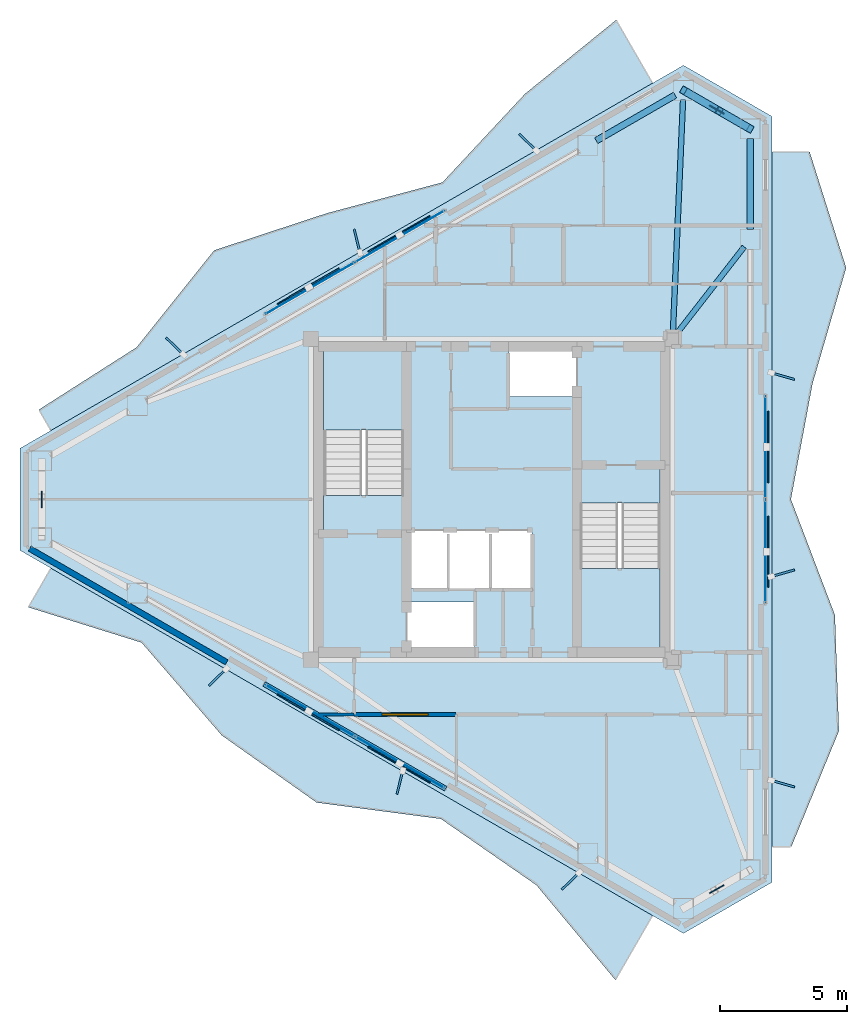
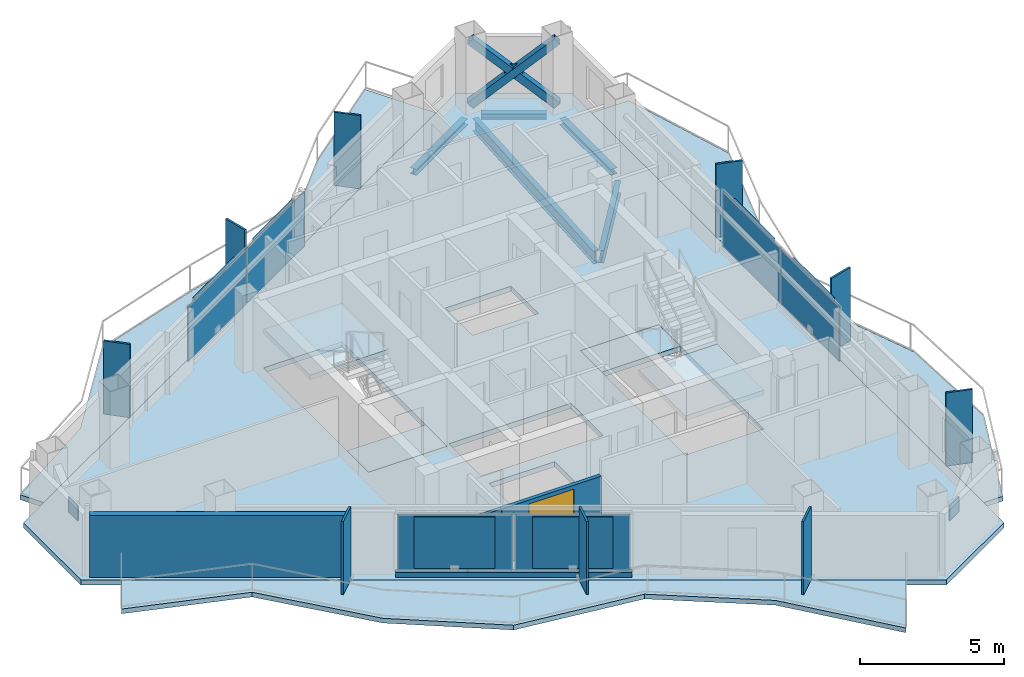
# One storey, part 13 of 18: 24 plates, 8 slabs, 5 beams, 4 walls, 3 members, 1 door, 1 opening, 5 elements without a shape of their own.
"""IFC4 building model written with IfcOpenShell, lengths in metres."""

from ifc_helpers import new_model, si_unit, direction, frame, frame_2d, origin, origin_2d, place, context, subcontext, project, spatial, polyline, rectangle, hollow_rectangle, i_section, outline, extrude, material, layer, layer_set, material_profile, profile_set, type_object, element, fill, aggregate, save


model = new_model("IFC4")

# Units and contexts
model_context = context("Model", 3, precision=1e-05, world=origin(), true_north=direction((0.0, 1.0)))
body_context = subcontext(model_context, "Body", "Model", "MODEL_VIEW")
ifc_project = project(units=[si_unit("LENGTHUNIT", "METRE"), si_unit("AREAUNIT", "SQUARE_METRE"), si_unit("VOLUMEUNIT", "CUBIC_METRE"), si_unit("PLANEANGLEUNIT", "RADIAN"), si_unit("MASSUNIT", "GRAM", prefix="KILO")], contexts=[model_context])

# Site, building, storey
site_placement = place(None, origin())
site = spatial("IfcSite", under=ifc_project, at=site_placement, CompositionType="ELEMENT")
building_placement = place(site_placement, origin())
building = spatial("IfcBuilding", under=site, at=building_placement, Name="Mersakhor Tower and Convention Hall", CompositionType="ELEMENT")
storey_placement = place(building_placement, frame((0.0, 0.0, 246.300048828125)))
storey = spatial("IfcBuildingStorey", under=building, at=storey_placement, Name="L69", CompositionType="ELEMENT", Elevation=246.300048828125)

# Beams
ifc_material_1 = material(Name="Steel S355", Category="steel")
ifc_material_profile_1 = material_profile(ifc_material_1, i_section(OverallWidth=0.2099609375, OverallDepth=0.53662109375, WebThickness=0.0107421875, FlangeThickness=0.017333984375, at=origin_2d()), Name="UB 533x210x101")
ifc_profile_set_1 = profile_set([ifc_material_profile_1], Name="Steel S355")
beam_type_1 = type_object("IfcBeamType", Name="BM-FB-533", PredefinedType="BEAM", material=ifc_profile_set_1)
beam_1_placement = place(storey_placement, frame((36.1123046875, 33.32958984375, -0.48828125), z_axis=(0.043540774519, 0.999051650794, 0.0), x_axis=(-0.999051650794, 0.043540774519, 0.0)))
element("IfcBeam", 1, at=beam_1_placement, inside=storey, type_object=beam_type_1, Name="L69 Primary Floor Girder FG-2", PredefinedType="BEAM", context=body_context, shape_type="SweptSolid", body=[
    extrude(i_section(OverallWidth=0.2099609375, OverallDepth=0.53662109375, WebThickness=0.0107421875, FlangeThickness=0.017333984375, at=origin_2d()), origin(), (0.0, 0.0, 1.0), 9.10595703125),
])
beam_2_placement = place(storey_placement, frame((36.27197265625, 33.27099609375, -0.48828125), z_axis=(0.614066533088, 0.789254263809, 0.0), x_axis=(-0.789254263809, 0.614066533088, 0.0)))
element("IfcBeam", 2, at=beam_2_placement, inside=storey, type_object=beam_type_1, Name="L69 Primary Floor Girder FG-3", PredefinedType="BEAM", context=body_context, shape_type="SweptSolid", body=[
    extrude(i_section(OverallWidth=0.2099609375, OverallDepth=0.53662109375, WebThickness=0.0107421875, FlangeThickness=0.017333984375, at=origin_2d()), origin(), (0.0, 0.0, 1.0), 4.295166015625),
])
ifc_material_2 = material(Name="Steel S355", Category="steel")
ifc_material_profile_2 = material_profile(ifc_material_2, i_section(OverallWidth=0.25634765625, OverallDepth=0.26025390625, WebThickness=0.01025390625, FlangeThickness=0.017333984375, at=origin_2d()), Name="UC 254x254x89")
ifc_profile_set_2 = profile_set([ifc_material_profile_2], Name="Steel S355")
beam_type_2 = type_object("IfcBeamType", Name="BM-SPD-UC254", PredefinedType="SPANDREL", material=ifc_profile_set_2)
beam_3_placement = place(storey_placement, frame((33.1005859375, 40.829345703125, -0.35009765625), z_axis=(0.866002454009, 0.500039748071, 0.0), x_axis=(-0.500039748071, 0.866002454009, 0.0)))
element("IfcBeam", 3, at=beam_3_placement, inside=storey, type_object=beam_type_2, Name="L69 Perimeter Spandrel Beam SPB-03", PredefinedType="SPANDREL", context=body_context, shape_type="SweptSolid", body=[
    extrude(i_section(OverallWidth=0.25634765625, OverallDepth=0.26025390625, WebThickness=0.01025390625, FlangeThickness=0.017333984375, at=origin_2d()), origin(), (0.0, 0.0, 1.0), 3.574462890625),
])
beam_4_placement = place(storey_placement, frame((36.854248046875, 42.61669921875, -0.35009765625), z_axis=(0.866016678684, -0.500015112013, 0.0), x_axis=(0.500015112013, 0.866016678684, 0.0)))
element("IfcBeam", 4, at=beam_4_placement, inside=storey, type_object=beam_type_2, Name="L69 Perimeter Spandrel Beam SPB-04", PredefinedType="SPANDREL", context=body_context, shape_type="SweptSolid", body=[
    extrude(i_section(OverallWidth=0.25634765625, OverallDepth=0.26025390625, WebThickness=0.01025390625, FlangeThickness=0.017333984375, at=origin_2d()), origin(), (0.0, 0.0, 1.0), 2.2626953125),
])
beam_5_placement = place(storey_placement, frame((39.142822265625, 40.915283203125, -0.35009765625), z_axis=(0.0, -1.0, 0.0), x_axis=(1.0, 0.0, 0.0)))
element("IfcBeam", 5, at=beam_5_placement, inside=storey, type_object=beam_type_2, Name="L69 Perimeter Spandrel Beam SPB-05", PredefinedType="SPANDREL", context=body_context, shape_type="SweptSolid", body=[
    extrude(i_section(OverallWidth=0.25634765625, OverallDepth=0.26025390625, WebThickness=0.01025390625, FlangeThickness=0.017333984375, at=origin_2d()), origin(), (0.0, 0.0, 1.0), 3.574462890625),
])

# Members
ifc_material_3 = material(Name="Steel S355", Category="steel")
ifc_material_profile_3 = material_profile(ifc_material_3, hollow_rectangle(XDim=0.300048828125, YDim=0.300048828125, WallThickness=0.01611328125, at=origin_2d()), Name="SHS 300x300x16")
ifc_profile_set_3 = profile_set([ifc_material_profile_3], Name="Steel S355")
member_type = type_object("IfcMemberType", Name="MB-BRC-SHS300", PredefinedType="BRACE", material=ifc_profile_set_3)
member_placement = place(storey_placement, frame((36.525146484375, 42.806640625, 0.14990234375), z_axis=(0.643758757166, -0.371653302263, 0.668915903151), x_axis=(0.499978822259, 0.866037630414, 0.0)))
element("IfcMember", 6, at=member_placement, inside=storey, type_object=member_type, Name="L69 Chamfer Braced Frame Diagonal CB-1A", PredefinedType="BRACE", context=body_context, shape_type="SweptSolid", body=[
    extrude(hollow_rectangle(XDim=0.300048828125, YDim=0.300048828125, WallThickness=0.01611328125, at=origin_2d()), origin(), (0.0, 0.0, 1.0), 4.066162109375),
])
for number, where, z_axis, x_axis, name in (
    (7, (39.142822265625, 41.29541015625, 0.14990234375), (-0.643712975298, 0.371613338431, 0.668982161297), (-0.499965166279, -0.866045514109, 0.0), "L69 Chamfer Braced Frame Diagonal CB-1B Lower Half"),
    (8, (37.731689453125, 42.110107421875, 1.6162109375), (-0.643769068574, 0.371645720891, 0.668910191648), (-0.499965166279, -0.866045514109, 0.0), "L69 Chamfer Braced Frame Diagonal CB-1B Upper Half"),
):
    element("IfcMember", number, at=place(storey_placement, frame(where, z_axis=z_axis, x_axis=x_axis)), inside=storey, type_object=member_type, Name=name, PredefinedType="BRACE", context=body_context, shape_type="SweptSolid", body=[
        extrude(hollow_rectangle(XDim=0.300048828125, YDim=0.300048828125, WallThickness=0.01611328125, at=origin_2d()), origin(), (0.0, 0.0, 1.0), 1.874267578125),
    ])

# Curtain wall, plates
ifc_material_4 = material(Name="Dark solar low-E aluminium curtain wall", Category="aluminium")
ifc_layer_1 = layer(ifc_material_4, 0.179931640625)
ifc_layer_set_1 = layer_set([ifc_layer_1], Name="Dark solar low-E aluminium curtain wall")
curtain_wall_type = type_object("IfcCurtainWallType", Name="CW-SYS-03", PredefinedType="USERDEFINED", material=ifc_layer_set_1)
curtain_wall_1_placement = place(storey_placement, origin())
curtain_wall_1 = element("IfcCurtainWall", 9, at=curtain_wall_1_placement, inside=storey, type_object=curtain_wall_type, Name="L69 Dark-Glass Curtain Wall F1-B2", ObjectType="CURTAIN WALL", PredefinedType="USERDEFINED")
ifc_material_5 = material(Name="Dark solar double glazing", Category="glass")
ifc_layer_2 = layer(ifc_material_5, 0.031982421875)
ifc_layer_set_2 = layer_set([ifc_layer_2], Name="Dark solar double glazing")
plate_type_1 = type_object("IfcPlateType", Name="CWP-GLZ-32", PredefinedType="CURTAIN_PANEL", material=ifc_layer_set_2)
plate_1_placement = place(storey_placement, frame((21.863525390625, 35.034423828125, 0.259765625), z_axis=(0.0, 0.0, 1.0), x_axis=(0.86602285698, 0.500004411169, 0.0)))
plate_1 = element("IfcPlate", 10, at=plate_1_placement, type_object=plate_type_1, Name="CW-03 panel 1.1", PredefinedType="CURTAIN_PANEL", context=body_context, shape_type="SweptSolid", body=[
    extrude(rectangle(XDim=4.00146484375, YDim=0.031982421875, at=origin_2d()), origin(), (0.0, 0.0, 1.0), 2.320068359375),
])
plate_2_placement = place(storey_placement, frame((25.393798828125, 37.07275390625, 0.259765625), z_axis=(0.0, 0.0, 1.0), x_axis=(0.86602285698, 0.500004411169, 0.0)))
plate_2 = element("IfcPlate", 11, at=plate_2_placement, type_object=plate_type_1, Name="CW-03 panel 2.1", PredefinedType="CURTAIN_PANEL", context=body_context, shape_type="SweptSolid", body=[
    extrude(rectangle(XDim=4.00146484375, YDim=0.031982421875, at=origin_2d()), origin(), (0.0, 0.0, 1.0), 2.320068359375),
])
aggregate(curtain_wall_1, [plate_1, plate_2])

curtain_wall_2_placement = place(storey_placement, origin())
curtain_wall_2 = element("IfcCurtainWall", 12, at=curtain_wall_2_placement, inside=storey, type_object=curtain_wall_type, Name="L69 Dark-Glass Curtain Wall F2-B2", ObjectType="CURTAIN WALL", PredefinedType="USERDEFINED")
plate_3_placement = place(storey_placement, frame((39.742919921875, 28.7880859375, 0.259765625), z_axis=(0.0, 0.0, 1.0), x_axis=(0.0, -1.0, 0.0)))
plate_3 = element("IfcPlate", 13, at=plate_3_placement, type_object=plate_type_1, Name="CW-03 panel 1.1", PredefinedType="CURTAIN_PANEL", context=body_context, shape_type="SweptSolid", body=[
    extrude(rectangle(XDim=4.00146484375, YDim=0.031982421875, at=origin_2d()), origin(), (0.0, 0.0, 1.0), 2.320068359375),
])
plate_4_placement = place(storey_placement, frame((39.742919921875, 24.7119140625, 0.259765625), z_axis=(0.0, 0.0, 1.0), x_axis=(0.0, -1.0, 0.0)))
plate_4 = element("IfcPlate", 14, at=plate_4_placement, type_object=plate_type_1, Name="CW-03 panel 2.1", PredefinedType="CURTAIN_PANEL", context=body_context, shape_type="SweptSolid", body=[
    extrude(rectangle(XDim=4.00146484375, YDim=0.031982421875, at=origin_2d()), origin(), (0.0, 0.0, 1.0), 2.320068359375),
])
aggregate(curtain_wall_2, [plate_3, plate_4])

curtain_wall_3_placement = place(storey_placement, origin())
curtain_wall_3 = element("IfcCurtainWall", 15, at=curtain_wall_3_placement, inside=storey, type_object=curtain_wall_type, Name="L69 Dark-Glass Curtain Wall F3-B2", ObjectType="CURTAIN WALL", PredefinedType="USERDEFINED")
plate_5_placement = place(storey_placement, frame((25.393798828125, 16.42724609375, 0.259765625), z_axis=(0.0, 0.0, 1.0), x_axis=(-0.86602285698, 0.500004411169, 0.0)))
plate_5 = element("IfcPlate", 16, at=plate_5_placement, type_object=plate_type_1, Name="CW-03 panel 1.1", PredefinedType="CURTAIN_PANEL", context=body_context, shape_type="SweptSolid", body=[
    extrude(rectangle(XDim=4.00146484375, YDim=0.031982421875, at=origin_2d()), origin(), (0.0, 0.0, 1.0), 2.320068359375),
])
plate_6_placement = place(storey_placement, frame((21.863525390625, 18.465576171875, 0.259765625), z_axis=(0.0, 0.0, 1.0), x_axis=(-0.86602285698, 0.500004411169, 0.0)))
plate_6 = element("IfcPlate", 17, at=plate_6_placement, type_object=plate_type_1, Name="CW-03 panel 2.1", PredefinedType="CURTAIN_PANEL", context=body_context, shape_type="SweptSolid", body=[
    extrude(rectangle(XDim=4.00146484375, YDim=0.031982421875, at=origin_2d()), origin(), (0.0, 0.0, 1.0), 2.320068359375),
])
aggregate(curtain_wall_3, [plate_5, plate_6])

# Plates
ifc_material_6 = material(Name="Ceramic-clad aluminium Zone 5 ultramarine", Category="aluminium")
ifc_material_7 = material(Name="Ceramic-clad aluminium Zone 1 cobalt-slate", Category="masonry")
ifc_layer_3 = layer(ifc_material_7, 0.080078125)
ifc_layer_set_3 = layer_set([ifc_layer_3], Name="Ceramic-clad aluminium Zone 1 cobalt-slate")
plate_type_2 = type_object("IfcPlateType", Name="PL-FIN-80", PredefinedType="USERDEFINED", material=ifc_layer_set_3)
for number, where, z_axis, x_axis, name in (
    (18, (16.558837890625, 32.7646484375, 0.0), (0.0, 0.0, 1.0), (-0.719339800339, 0.694658370459, 0.0), "L69 Zone 5 Coloured Brise-Soleil Fin F1-1"),
    (19, (23.7138671875, 36.8955078125, 0.0), (0.0, 0.0, 1.0), (-0.2419218956, 0.970295726276, 0.0), "L69 Zone 5 Coloured Brise-Soleil Fin F1-2"),
    (20, (30.415283203125, 40.7646484375, 0.0), (0.0, 0.0, 1.0), (-0.719339800339, 0.694658370459, 0.0), "L69 Zone 5 Coloured Brise-Soleil Fin F1-3"),
    (21, (40.429443359375, 31.58837890625, 0.0), (0.0, 0.0, 1.0), (0.961261695938, -0.275637355817, 0.0), "L69 Zone 5 Coloured Brise-Soleil Fin F2-1"),
    (22, (40.429443359375, 23.850341796875, 0.0), (0.0, 0.0, 1.0), (0.961261695938, 0.275637355817, 0.0), "L69 Zone 5 Coloured Brise-Soleil Fin F2-2"),
    (23, (40.429443359375, 15.58837890625, 0.0), (0.0, 0.0, 1.0), (0.961261695938, -0.275637355817, 0.0), "L69 Zone 5 Coloured Brise-Soleil Fin F2-3"),
    (24, (32.09423828125, 11.765869140625, 0.0), (0.0, 0.0, 1.0), (-0.719339800339, -0.694658370459, 0.0), "L69 Zone 5 Coloured Brise-Soleil Fin F3-1"),
    (25, (25.392822265625, 15.635009765625, 0.0), (0.0, 0.0, 1.0), (-0.2419218956, -0.970295726276, 0.0), "L69 Zone 5 Coloured Brise-Soleil Fin F3-2"),
    (26, (18.23779296875, 19.76611328125, 0.0), (0.0, 0.0, 1.0), (-0.719339800339, -0.694658370459, 0.0), "L69 Zone 5 Coloured Brise-Soleil Fin F3-3"),
):
    element("IfcPlate", number, at=place(storey_placement, frame(where, z_axis=z_axis, x_axis=x_axis)), inside=storey, type_object=plate_type_2, material=ifc_material_6, Name=name, ObjectType="FIN", PredefinedType="USERDEFINED", context=body_context, shape_type="SweptSolid", body=[
        extrude(rectangle(XDim=0.949951171875, YDim=0.080078125, at=origin_2d()), origin(), (0.0, 0.0, 1.0), 3.10009765625),
    ])
ifc_material_8 = material(Name="Steel S460", Category="steel")
ifc_layer_4 = layer(ifc_material_8, 0.0400390625)
ifc_layer_set_4 = layer_set([ifc_layer_4], Name="Steel S460")
plate_type_3 = type_object("IfcPlateType", Name="PL-GUSSET-40", PredefinedType="SHEET", material=ifc_layer_set_4)
for number, where, z_axis, x_axis, name in (
    (27, (37.833984375, 42.051025390625, 1.18994140625), (0.0, 0.0, 1.0), (-0.866025403784, 0.5, 0.0), "L69 X-Brace Crossing Gusset Node Plate"),
    (28, (37.833984375, 11.448974609375, 1.18994140625), (0.0, 0.0, 1.0), (0.866025403784, 0.5, 0.0), "L69 X-Brace Crossing Gusset Node Plate"),
    (29, (11.33203125, 26.75, 1.18994140625), (0.0, 0.0, 1.0), (0.0, -1.0, 0.0), "L69 X-Brace Crossing Gusset Node Plate"),
):
    element("IfcPlate", number, at=place(storey_placement, frame(where, z_axis=z_axis, x_axis=x_axis)), inside=storey, type_object=plate_type_3, Name=name, PredefinedType="SHEET", context=body_context, shape_type="SweptSolid", body=[
        extrude(rectangle(XDim=0.639892578125, YDim=0.0400390625, at=origin_2d()), origin(), (0.0, 0.0, 1.0), 0.639892578125),
    ])
ifc_material_9 = material(Name="Perforated ceramic cobogo solar screen", Category="aluminium")
ifc_layer_5 = layer(ifc_material_9, 0.055908203125)
ifc_layer_set_5 = layer_set([ifc_layer_5], Name="Perforated ceramic cobogo solar screen")
plate_type_4 = type_object("IfcPlateType", Name="PL-SCR-56", PredefinedType="USERDEFINED", material=ifc_layer_set_5)
for number, where, z_axis, x_axis, name in (
    (30, (21.79833984375, 35.10986328125, 0.39990234375), (0.0, 0.0, 1.0), (0.866025403784, 0.5, 0.0), "L69 Perforated Ceramic Solar Screen F1-1"),
    (31, (25.361083984375, 37.1669921875, 0.39990234375), (0.0, 0.0, 1.0), (0.866025403784, 0.5, 0.0), "L69 Perforated Ceramic Solar Screen F1-2"),
    (32, (39.8408203125, 28.806884765625, 0.39990234375), (0.0, 0.0, 1.0), (0.0, -1.0, 0.0), "L69 Perforated Ceramic Solar Screen F2-1"),
    (33, (39.8408203125, 24.693115234375, 0.39990234375), (0.0, 0.0, 1.0), (0.0, -1.0, 0.0), "L69 Perforated Ceramic Solar Screen F2-2"),
    (34, (25.36083984375, 16.3330078125, 0.39990234375), (0.0, 0.0, 1.0), (-0.866025403784, 0.5, 0.0), "L69 Perforated Ceramic Solar Screen F3-1"),
    (35, (21.798095703125, 18.389892578125, 0.39990234375), (0.0, 0.0, 1.0), (-0.866025403784, 0.5, 0.0), "L69 Perforated Ceramic Solar Screen F3-2"),
):
    element("IfcPlate", number, at=place(storey_placement, frame(where, z_axis=z_axis, x_axis=x_axis)), inside=storey, type_object=plate_type_4, Name=name, ObjectType="SCREEN", PredefinedType="USERDEFINED", context=body_context, shape_type="SweptSolid", body=[
        extrude(rectangle(XDim=2.800048828125, YDim=0.055908203125, at=origin_2d()), origin(), (0.0, 0.0, 1.0), 2.18994140625),
    ])

# Slabs
ifc_material_10 = material(Name="Concrete C45/55", Category="concrete")
ifc_layer_6 = layer(ifc_material_10, 0.199951171875)
ifc_layer_set_6 = layer_set([ifc_layer_6], Name="Concrete C45/55")
slab_type_1 = type_object("IfcSlabType", Name="SL-BAL-200", PredefinedType="FLOOR", material=ifc_layer_set_6)
slab_1_placement = place(storey_placement, frame((0.0, 0.0, -0.199951171875)))
element("IfcSlab", 36, at=slab_1_placement, inside=storey, type_object=slab_type_1, Name="L69 Sinusoidal Balcony Slab Face 1", PredefinedType="FLOOR", context=body_context, shape_type="SweptSolid", body=[
    extrude(outline(polyline([(11.6943359375, 29.451904296875), (35.312744140625, 43.088134765625), (33.881591796875, 45.566650390625), (30.305908203125, 42.669189453125), (27.06494140625, 39.1923828125), (22.517333984375, 37.97802734375), (18.107177734375, 36.526123046875), (15.057861328125, 32.717041015625), (11.22216796875, 30.27001953125), (11.6943359375, 29.451904296875)])), origin(), (0.0, 0.0, 1.0), 0.199951171875),
])
slab_2_placement = place(storey_placement, frame((0.0, 0.0, -0.199951171875)))
element("IfcSlab", 37, at=slab_2_placement, inside=storey, type_object=slab_type_1, Name="L69 Sinusoidal Balcony Slab Face 2", PredefinedType="FLOOR", context=body_context, shape_type="SweptSolid", body=[
    extrude(outline(polyline([(39.992919921875, 40.385986328125), (39.992919921875, 13.114013671875), (40.759765625, 13.114013671875), (42.6279296875, 17.6591796875), (42.470947265625, 22.20458984375), (40.742919921875, 26.75), (41.59228515625, 31.29541015625), (42.912841796875, 35.8408203125), (41.4794921875, 40.385986328125), (39.992919921875, 40.385986328125)])), origin(), (0.0, 0.0, 1.0), 0.199951171875),
])
slab_3_placement = place(storey_placement, frame((0.0, 0.0, -0.199951171875)))
element("IfcSlab", 38, at=slab_3_placement, inside=storey, type_object=slab_type_1, Name="L69 Sinusoidal Balcony Slab Face 3", PredefinedType="FLOOR", context=body_context, shape_type="SweptSolid", body=[
    extrude(outline(polyline([(35.312744140625, 10.411865234375), (11.6943359375, 24.048095703125), (10.80908203125, 22.514404296875), (15.255859375, 21.125732421875), (18.40283203125, 17.485595703125), (22.128173828125, 14.847412109375), (27.006591796875, 14.20654296875), (30.753662109375, 11.60595703125), (33.852783203125, 7.883056640625), (35.312744140625, 10.411865234375)])), origin(), (0.0, 0.0, 1.0), 0.199951171875),
])
ifc_material_11 = material(Name="Concrete C40/50", Category="concrete")
ifc_layer_7 = layer(ifc_material_11, 0.219970703125)
ifc_layer_set_7 = layer_set([ifc_layer_7], Name="Concrete C40/50")
slab_type_2 = type_object("IfcSlabType", Name="SL-FLR-220", PredefinedType="FLOOR", material=ifc_layer_set_7)
slab_4_placement = place(storey_placement, frame((0.0, 0.0, -0.219970703125)))
element("IfcSlab", 39, at=slab_4_placement, inside=storey, type_object=slab_type_2, Name="L69 ST-1 Structural Stair Floor Landing", PredefinedType="LANDING", context=body_context, shape_type="SweptSolid", body=[
    extrude(outline(polyline([(25.550048828125, 25.39990234375), (25.550048828125, 26.89990234375), (22.39990234375, 26.89990234375), (22.39990234375, 25.39990234375), (25.550048828125, 25.39990234375)])), origin(), (0.0, 0.0, 1.0), 0.219970703125),
])
slab_5_placement = place(storey_placement, frame((0.0, 0.0, -0.219970703125)))
element("IfcSlab", 40, at=slab_5_placement, inside=storey, type_object=slab_type_2, Name="L69 ST-2 Structural Stair Floor Landing", PredefinedType="LANDING", context=body_context, shape_type="SweptSolid", body=[
    extrude(outline(polyline([(32.449951171875, 28.10009765625), (32.449951171875, 26.60009765625), (35.60009765625, 26.60009765625), (35.60009765625, 28.10009765625), (32.449951171875, 28.10009765625)])), origin(), (0.0, 0.0, 1.0), 0.219970703125),
])
slab_6_placement = place(storey_placement, frame((0.0, 0.0, -0.219970703125)))
element("IfcSlab", 41, at=slab_6_placement, inside=storey, type_object=slab_type_2, Name="Tower L69 Structural Floor Slab", PredefinedType="FLOOR", context=body_context, shape_type="SweptSolid", body=[
    extrude(outline(polyline([(10.48193359375, 28.751953125), (36.525146484375, 43.7880859375), (39.992919921875, 41.7861328125), (39.992919921875, 11.7138671875), (36.525146484375, 9.7119140625), (10.48193359375, 24.748046875), (10.48193359375, 28.751953125)]), holes=[polyline([(25.550048828125, 25.39990234375), (25.550048828125, 32.699951171875), (22.39990234375, 32.699951171875), (22.39990234375, 25.39990234375), (25.550048828125, 25.39990234375)]), polyline([(32.449951171875, 28.10009765625), (32.449951171875, 20.800048828125), (35.60009765625, 20.800048828125), (35.60009765625, 28.10009765625), (32.449951171875, 28.10009765625)]), polyline([(25.679931640625, 20.820068359375), (25.679931640625, 22.719970703125), (28.320068359375, 22.719970703125), (28.320068359375, 20.820068359375), (25.679931640625, 20.820068359375)]), polyline([(29.679931640625, 30.780029296875), (29.679931640625, 32.679931640625), (32.320068359375, 32.679931640625), (32.320068359375, 30.780029296875), (29.679931640625, 30.780029296875)]), polyline([(25.679931640625, 23.25), (25.679931640625, 25.5), (30.570068359375, 25.5), (30.570068359375, 23.25), (25.679931640625, 23.25)])]), origin(), (0.0, 0.0, 1.0), 0.219970703125),
])

# Stair, slab
ifc_material_12 = material(Name="Concrete C45/55", Category="concrete")
stair_type = type_object("IfcStairType", Name="ST-TWR-20R", PredefinedType="HALF_TURN_STAIR", material=ifc_material_12)
stair_1_placement = place(storey_placement, origin())
stair_1 = element("IfcStair", 42, at=stair_1_placement, inside=storey, type_object=stair_type, Name="L69 Tower Protected Exit Stair ST-1", PredefinedType="HALF_TURN_STAIR")
ifc_material_13 = material(Name="Concrete C45/55", Category="concrete")
ifc_layer_8 = layer(ifc_material_13, 0.199951171875)
ifc_layer_set_8 = layer_set([ifc_layer_8], Name="Concrete C45/55")
slab_type_3 = type_object("IfcSlabType", Name="SL-LAND-200", PredefinedType="LANDING", material=ifc_layer_set_8)
slab_7_placement = place(storey_placement, frame((0.0, 0.0, 1.449951171875)))
slab_7 = element("IfcSlab", 43, at=slab_7_placement, type_object=slab_type_3, Name="ST-1 landing 1", PredefinedType="LANDING", context=body_context, shape_type="SweptSolid", body=[
    extrude(outline(polyline([(25.550048828125, 29.465087890625), (25.550048828125, 32.699951171875), (22.39990234375, 32.699951171875), (22.39990234375, 29.465087890625), (25.550048828125, 29.465087890625)])), origin(), (0.0, 0.0, 1.0), 0.199951171875),
])
aggregate(stair_1, [slab_7])

stair_2_placement = place(storey_placement, origin())
stair_2 = element("IfcStair", 44, at=stair_2_placement, inside=storey, type_object=stair_type, Name="L69 Tower Protected Exit Stair ST-2", PredefinedType="HALF_TURN_STAIR")
slab_8_placement = place(storey_placement, frame((0.0, 0.0, 1.449951171875)))
slab_8 = element("IfcSlab", 45, at=slab_8_placement, type_object=slab_type_3, Name="ST-2 landing 1", PredefinedType="LANDING", context=body_context, shape_type="SweptSolid", body=[
    extrude(outline(polyline([(32.449951171875, 24.034912109375), (32.449951171875, 20.800048828125), (35.60009765625, 20.800048828125), (35.60009765625, 24.034912109375), (32.449951171875, 24.034912109375)])), origin(), (0.0, 0.0, 1.0), 0.199951171875),
])
aggregate(stair_2, [slab_8])

# Walls
ifc_material_14 = material(Name="Precast concrete C40/50", Category="concrete")
ifc_layer_9 = layer(ifc_material_14, 0.22509765625)
ifc_layer_set_9 = layer_set([ifc_layer_9], Name="Precast concrete C40/50")
wall_type_1 = type_object("IfcWallType", Name="WL-EXT-225", PredefinedType="SOLIDWALL", material=ifc_layer_set_9)
wall_1_placement = place(storey_placement, frame((18.593505859375, 20.353515625, 0.0), z_axis=(0.0, 0.0, 1.0), x_axis=(-0.866026655105, 0.499997832642, 0.0)))
element("IfcWall", 46, at=wall_1_placement, inside=storey, type_object=wall_type_1, Name="L69 Exterior Facade Wall F3-B3", PredefinedType="SOLIDWALL", context=body_context, shape_type="SweptSolid", body=[
    extrude(rectangle(XDim=8.927734375, YDim=0.22509765625, at=frame_2d((4.4638671875, 0.0))), origin(), (0.0, 0.0, 1.0), 2.639892578125),
])
ifc_material_15 = material(Name="Precast concrete C40/50", Category="concrete")
ifc_layer_10 = layer(ifc_material_15, 0.199951171875)
ifc_layer_set_10 = layer_set([ifc_layer_10], Name="Precast concrete C40/50")
wall_type_2 = type_object("IfcWallType", Name="WL-PAR-200", PredefinedType="PARAPET", material=ifc_layer_set_10)
wall_2_placement = place(storey_placement, frame((27.19140625, 15.389404296875, 0.0), z_axis=(0.0, 0.0, 1.0), x_axis=(-0.866019557082, 0.500010126649, 0.0)))
element("IfcWall", 47, at=wall_2_placement, inside=storey, type_object=wall_type_2, Name="L69 Curtain Wall Upstand Sill F3-B2", PredefinedType="PARAPET", context=body_context, shape_type="SweptSolid", body=[
    extrude(rectangle(XDim=8.227783203125, YDim=0.199951171875, at=frame_2d((4.11376953125, 0.0))), origin(), (0.0, 0.0, 1.0), 0.199951171875),
])
ifc_material_16 = material(Name="Gypsum board acoustic partition", Category="other")
ifc_layer_11 = layer(ifc_material_16, 0.125)
ifc_layer_set_11 = layer_set([ifc_layer_11], Name="Gypsum board acoustic partition")
wall_type_3 = type_object("IfcWallType", Name="WL-PRT-125", PredefinedType="PARTITIONING", material=ifc_layer_set_11)
wall_3_placement = place(storey_placement, frame((22.222900390625, 18.300048828125, 0.0), z_axis=(0.0, 0.0, 1.0), x_axis=(1.0, 0.0, 0.0)))
element("IfcWall", 48, at=wall_3_placement, inside=storey, type_object=wall_type_3, Name="L69 Interior Partition Wall P-055", PredefinedType="PARTITIONING", context=body_context, shape_type="SweptSolid", body=[
    extrude(rectangle(XDim=1.377197265625, YDim=0.125, at=frame_2d((0.6884765625, 0.0))), origin(), (0.0, 0.0, 1.0), 2.364990234375),
])

# Wall, opening, door
ifc_material_17 = material(Name="Fire-rated gypsum board stud partition", Category="other")
ifc_layer_12 = layer(ifc_material_17, 0.14990234375)
ifc_layer_set_12 = layer_set([ifc_layer_12], Name="Fire-rated gypsum board stud partition")
wall_type_4 = type_object("IfcWallType", Name="WL-PRT-150", PredefinedType="PARTITIONING", material=ifc_layer_set_12)
wall_4_placement = place(storey_placement, frame((27.60009765625, 18.300048828125, 0.0), z_axis=(0.0, 0.0, 1.0), x_axis=(-1.0, 0.0, 0.0)))
wall_4 = element("IfcWall", 49, at=wall_4_placement, inside=storey, type_object=wall_type_4, Name="L69 Interior Partition Wall P-033", PredefinedType="PARTITIONING", context=body_context, shape_type="SweptSolid", body=[
    extrude(rectangle(XDim=4.0, YDim=0.14990234375, at=frame_2d((2.0, 0.0))), origin(), (0.0, 0.0, 1.0), 2.364990234375),
])
opening_placement = place(wall_4_placement, frame((1.10009765625, 0.0, 0.0)))
opening = element("IfcOpeningElement", 50, at=opening_placement, cuts=wall_4, Name="Opening HD-01", PredefinedType="OPENING", context=body_context, shape_type="SweptSolid", body=[
    extrude(rectangle(XDim=1.800048828125, YDim=2.199951171875, at=frame_2d((0.89990234375, 1.10009765625))), frame((0.0, 0.0849609375, 0.0), z_axis=(0.0, -1.0, 0.0), x_axis=(1.0, 0.0, 0.0)), (0.0, 0.0, 1.0), 0.169921875),
])
ifc_material_18 = material(Name="Fire-rated hardwood leaf and painted steel frame", Category="steel")
door_type = type_object("IfcDoorType", Name="DR-INT-HALL-180x220", OperationType="NOTDEFINED", PredefinedType="DOOR", material=ifc_material_18)
door_placement = place(opening_placement, origin())
door = element("IfcDoor", 51, at=door_placement, inside=storey, type_object=door_type, Name="L69 Residential South Gallery Corridor to L69 South Crown Residents Library Hall Door", OperationType="DOUBLE_DOOR_SINGLE_SWING", OverallHeight=2.199951171875, OverallWidth=1.800048828125, PredefinedType="DOOR", context=body_context, shape_type="SweptSolid", body=[
    extrude(rectangle(XDim=1.800048828125, YDim=2.199951171875, at=frame_2d((0.89990234375, 1.10009765625))), frame((0.0, 0.02490234375, 0.0), z_axis=(0.0, -1.0, 0.0), x_axis=(1.0, 0.0, 0.0)), (0.0, 0.0, 1.0), 0.050048828125),
])
fill(opening, door)

save(model, "model.ifc")
